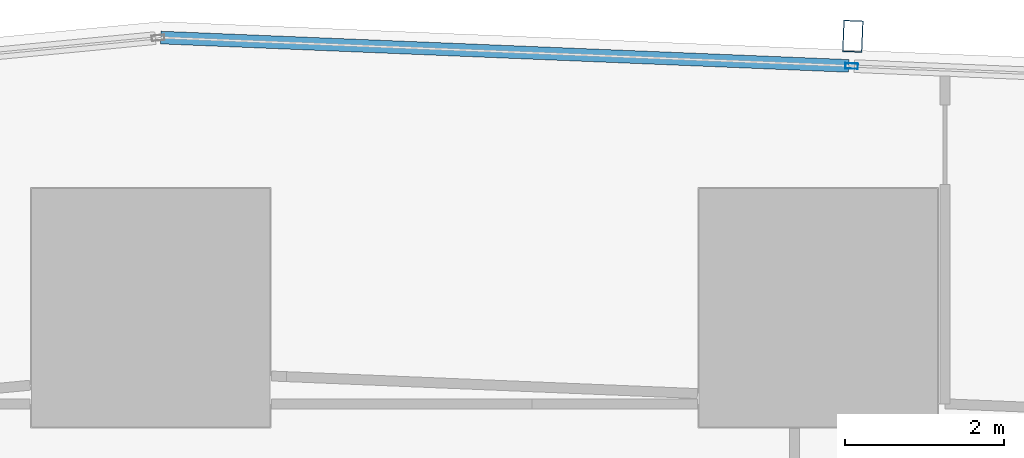
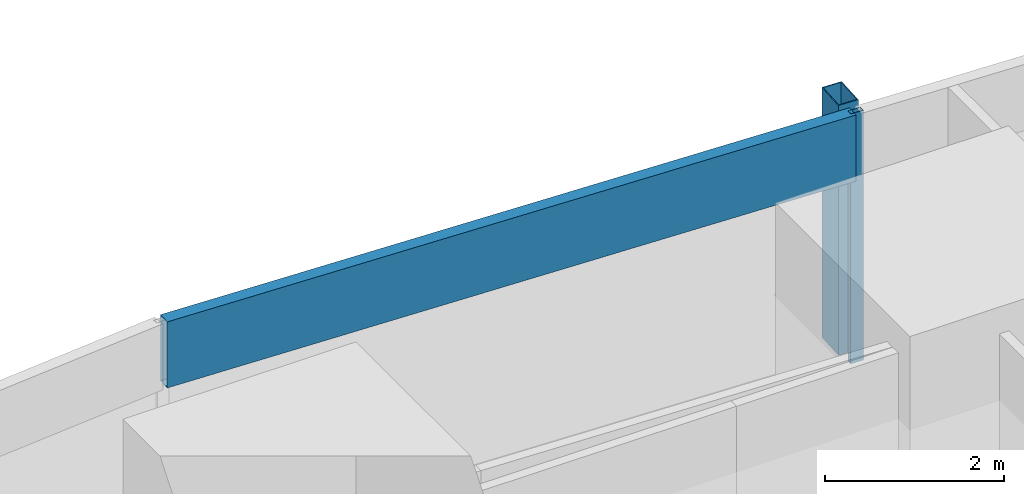
# One storey, part 18 of 44: 3 members, 1 element without a shape of its own.
"""IFC4 building model written with IfcOpenShell, lengths in metres."""

from ifc_helpers import new_model, si_unit, direction, frame, origin, origin_2d, place, context, subcontext, project, spatial, hollow_rectangle, extrude, material, material_profile, profile_set, type_object, element, aggregate, save


model = new_model("IFC4")

# Units and contexts
model_context = context("Model", 3, precision=1e-05, world=origin(), true_north=direction((0.0, 1.0)))
body_context = subcontext(model_context, "Body", "Model", "MODEL_VIEW")
ifc_project = project(units=[si_unit("LENGTHUNIT", "METRE"), si_unit("AREAUNIT", "SQUARE_METRE"), si_unit("VOLUMEUNIT", "CUBIC_METRE"), si_unit("PLANEANGLEUNIT", "RADIAN"), si_unit("MASSUNIT", "GRAM", prefix="KILO")], contexts=[model_context])

# Site, building, storey
site_placement = place(None, origin())
site = spatial("IfcSite", under=ifc_project, at=site_placement, CompositionType="ELEMENT")
building_placement = place(site_placement, origin())
building = spatial("IfcBuilding", under=site, at=building_placement, Name="Rekha Terrace Tower", CompositionType="ELEMENT")
storey_placement = place(building_placement, frame((0.0, 0.0, 81.64990234375)))
storey = spatial("IfcBuildingStorey", under=building, at=storey_placement, Name="L20", CompositionType="ELEMENT", Elevation=81.64990234375)

# Curtain wall, members
ifc_material_1 = material(Name="Aluminium framing", Category="aluminium")
curtain_wall_type = type_object("IfcCurtainWallType", Name="CW3 north unitised glazing", PredefinedType="USERDEFINED", material=ifc_material_1)
curtain_wall_placement = place(storey_placement, origin())
curtain_wall = element("IfcCurtainWall", 1, at=curtain_wall_placement, inside=storey, type_object=curtain_wall_type, Name="CW3 unitised curtain wall", ObjectType="UNITISED CURTAIN WALL", PredefinedType="USERDEFINED")
ifc_material_2 = material(Name="Steel S355 with fluorocarbon finish", Category="steel")
ifc_material_profile_1 = material_profile(ifc_material_2, hollow_rectangle(XDim=0.25, YDim=0.39990234375, WallThickness=0.012451171875, at=origin_2d()), Name="RHS400x250x12.5")
ifc_profile_set_1 = profile_set([ifc_material_profile_1], Name="Steel S355 with fluorocarbon finish")
member_type_1 = type_object("IfcMemberType", Name="BL1 facade blade RHS 400 x 250", PredefinedType="USERDEFINED", material=ifc_profile_set_1)
member_1_placement = place(storey_placement, frame((34.037353515625, 62.2158203125, 0.0), z_axis=(0.0, 0.0, 1.0), x_axis=(-0.99915196507, 0.041174636562, 0.0)))
member_1 = element("IfcMember", 2, at=member_1_placement, type_object=member_type_1, Name="Facade blade", ObjectType="FACADE BLADE", PredefinedType="USERDEFINED", context=body_context, shape_type="SweptSolid", body=[
    extrude(hollow_rectangle(XDim=0.25, YDim=0.39990234375, WallThickness=0.012451171875, at=origin_2d()), origin(), (0.0, 0.0, 1.0), 3.400146484375),
])
ifc_material_3 = material(Name="Aluminium mullion section", Category="aluminium")
ifc_material_profile_2 = material_profile(ifc_material_3, hollow_rectangle(XDim=0.070068359375, YDim=0.159912109375, WallThickness=0.00390625, at=origin_2d()), Name="AL RHS 70x160")
ifc_profile_set_2 = profile_set([ifc_material_profile_2], Name="Aluminium mullion section")
member_type_2 = type_object("IfcMemberType", Name="CW3 mullion RHS 70 x 160", PredefinedType="MULLION", material=ifc_profile_set_2)
member_2_placement = place(storey_placement, frame((34.02197265625, 61.84130859375, 0.0), z_axis=(0.0, 0.0, 1.0), x_axis=(-0.041173846041, -0.999151997647, 0.0)))
member_2 = element("IfcMember", 3, at=member_2_placement, type_object=member_type_2, Name="CW3 mullion 5", PredefinedType="MULLION", context=body_context, shape_type="SweptSolid", body=[
    extrude(hollow_rectangle(XDim=0.070068359375, YDim=0.159912109375, WallThickness=0.00390625, at=origin_2d()), origin(), (0.0, 0.0, 1.0), 3.400146484375),
])
ifc_material_4 = material(Name="Insulated aluminium spandrel box", Category="aluminium")
ifc_material_profile_3 = material_profile(ifc_material_4, hollow_rectangle(XDim=0.159912109375, YDim=0.89990234375, WallThickness=0.0029296875, at=origin_2d()), Name="AL SPANDREL BOX 160x900")
ifc_profile_set_3 = profile_set([ifc_material_profile_3], Name="Insulated aluminium spandrel box")
member_type_3 = type_object("IfcMemberType", Name="CW3 spandrel transom 160 x 900", PredefinedType="USERDEFINED", material=ifc_profile_set_3)
member_3_placement = place(storey_placement, frame((33.987060546875, 61.8427734375, 2.9501953125), z_axis=(-0.999152004012, 0.04117369158, 0.0), x_axis=(-0.04117369158, -0.999152004012, 0.0)))
member_3 = element("IfcMember", 4, at=member_3_placement, type_object=member_type_3, Name="CW3 spandrel transom 5", ObjectType="TRANSOM", PredefinedType="USERDEFINED", context=body_context, shape_type="SweptSolid", body=[
    extrude(hollow_rectangle(XDim=0.159912109375, YDim=0.89990234375, WallThickness=0.0029296875, at=origin_2d()), origin(), (0.0, 0.0, 1.0), 8.6689453125),
])
aggregate(curtain_wall, [member_2, member_3, member_1])

save(model, "model.ifc")
